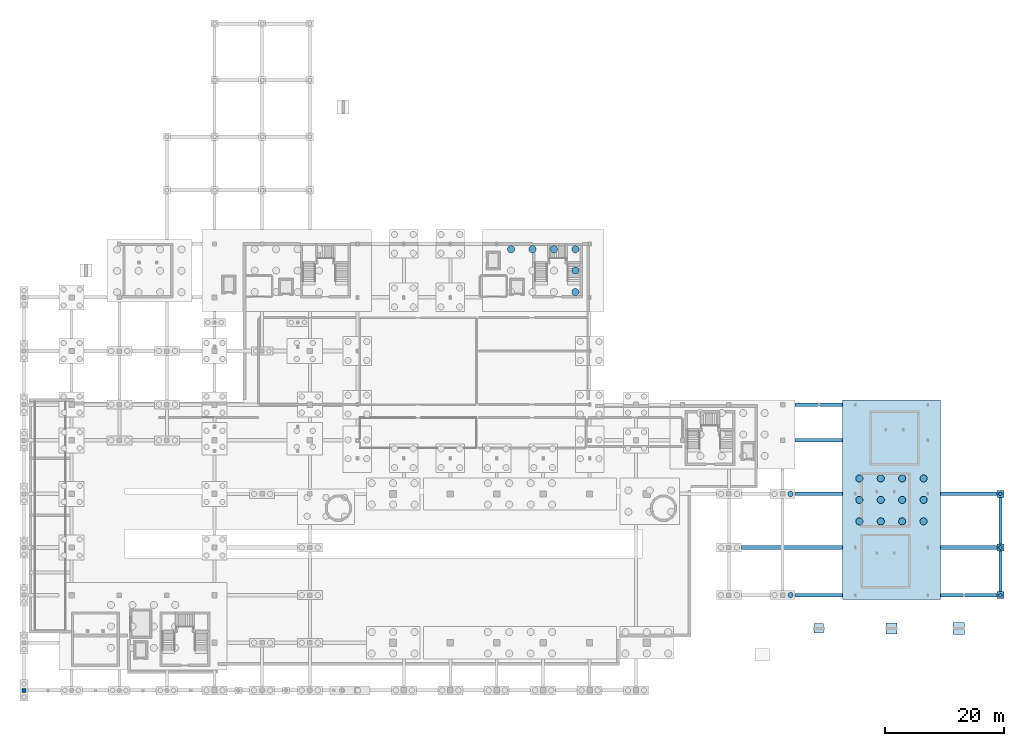
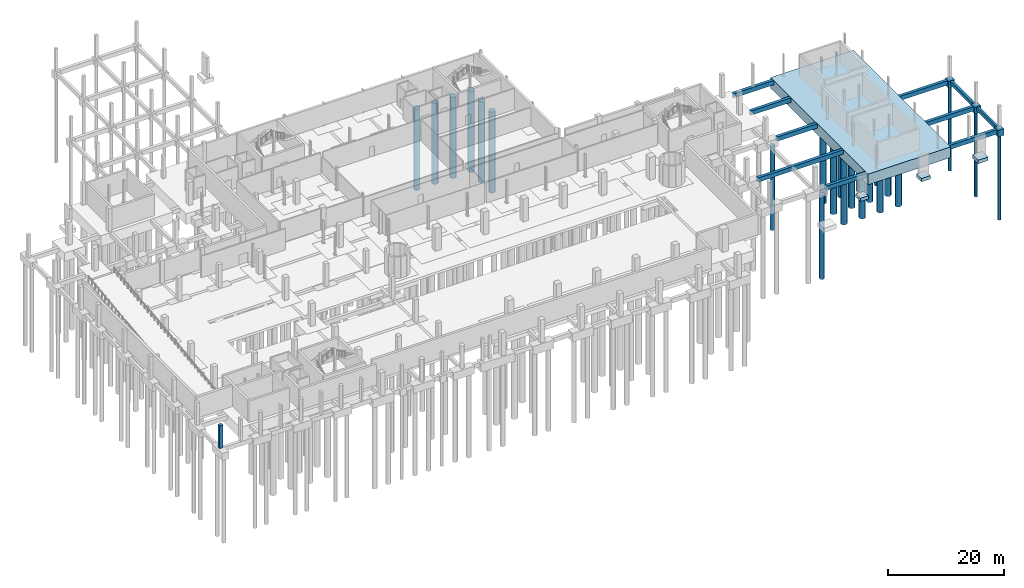
# One storey, part 6 of 32: 23 piles, 17 footings, 1 column.
"""IFC4 building model written with IfcOpenShell, lengths in metres."""

from ifc_helpers import new_model, si_unit, derived_unit, direction, frame, origin, origin_2d, place, context, subcontext, project, spatial, rectangle, circle, extrude, material, material_profile, profile_set, type_object, element, save


model = new_model("IFC4")

# Units and contexts
model_context = context("Model", 3, precision=1e-05, world=origin(), true_north=direction((0.0, 1.0)))
body_context = subcontext(model_context, "Body", "Model", "MODEL_VIEW")
ifc_project = project(units=[si_unit("LENGTHUNIT", "METRE"), si_unit("AREAUNIT", "SQUARE_METRE"), si_unit("VOLUMEUNIT", "CUBIC_METRE"), si_unit("PLANEANGLEUNIT", "RADIAN"), si_unit("MASSUNIT", "GRAM", prefix="KILO"), derived_unit("THERMALTRANSMITTANCEUNIT", [(si_unit("POWERUNIT", "WATT"), 1), (si_unit("LENGTHUNIT", "METRE"), -2), (si_unit("THERMODYNAMICTEMPERATUREUNIT", "KELVIN"), -1)])], contexts=[model_context])

# Site, building, storey
site_placement = place(None, origin())
site = spatial("IfcSite", under=ifc_project, at=site_placement, CompositionType="ELEMENT")
building_placement = place(site_placement, origin())
building = spatial("IfcBuilding", under=site, at=building_placement, Name="Nallur Shell Playhouse", CompositionType="ELEMENT")
storey_placement = place(building_placement, frame((0.0, 0.0, -4.800048828125)))
storey = spatial("IfcBuildingStorey", under=building, at=storey_placement, Name="B1", CompositionType="ELEMENT", Elevation=-4.800048828125)

# Footings
ifc_material = material(Name="Concrete M35", Category="concrete")
footing_type_1 = type_object("IfcFootingType", Name="FT-PAD-01", PredefinedType="PAD_FOOTING", material=ifc_material)
footing_1_placement = place(storey_placement, frame((141.5, 18.39990234375, -0.64990234375), z_axis=(0.0, 0.0, 1.0), x_axis=(1.0, 0.0, 0.0)))
element("IfcFooting", 1, at=footing_1_placement, inside=storey, type_object=footing_type_1, Name="Ramp & forecourt pad footing PF-01", PredefinedType="PAD_FOOTING", context=body_context, shape_type="SweptSolid", body=[
    extrude(rectangle(XDim=1.60009765625, YDim=1.60009765625, at=origin_2d()), origin(), (0.0, 0.0, 1.0), 0.64990234375),
])
footing_type_2 = type_object("IfcFootingType", Name="FT-PAD-02", PredefinedType="PAD_FOOTING", material=ifc_material)
footing_2_placement = place(storey_placement, frame((153.699951171875, 18.39990234375, -0.69970703125), z_axis=(0.0, 0.0, 1.0), x_axis=(1.0, 0.0, 0.0)))
element("IfcFooting", 2, at=footing_2_placement, inside=storey, type_object=footing_type_2, Name="Ramp & forecourt pad footing PF-02", PredefinedType="PAD_FOOTING", context=body_context, shape_type="SweptSolid", body=[
    extrude(rectangle(XDim=1.800048828125, YDim=1.800048828125, at=origin_2d()), origin(), (0.0, 0.0, 1.0), 0.699951171875),
])
footing_type_3 = type_object("IfcFootingType", Name="FT-PAD-03", PredefinedType="PAD_FOOTING", material=ifc_material)
footing_3_placement = place(storey_placement, frame((165.0, 18.39990234375, -0.75), z_axis=(0.0, 0.0, 1.0), x_axis=(1.0, 0.0, 0.0)))
element("IfcFooting", 3, at=footing_3_placement, inside=storey, type_object=footing_type_3, Name="Ramp & forecourt pad footing PF-03", PredefinedType="PAD_FOOTING", context=body_context, shape_type="SweptSolid", body=[
    extrude(rectangle(XDim=2.0, YDim=2.0, at=origin_2d()), origin(), (0.0, 0.0, 1.0), 0.75),
])
footing_type_4 = type_object("IfcFootingType", Name="FT-PC-120x120x135", PredefinedType="PILE_CAP", material=ifc_material)
footing_4_placement = place(storey_placement, frame((172.0, 32.0, -1.35009765625), z_axis=(0.0, 0.0, 1.0), x_axis=(1.0, 0.0, 0.0)))
element("IfcFooting", 4, at=footing_4_placement, inside=storey, type_object=footing_type_4, Name="Pile cap PC-088", PredefinedType="PILE_CAP", context=body_context, shape_type="SweptSolid", body=[
    extrude(rectangle(XDim=1.199951171875, YDim=1.199951171875, at=origin_2d()), origin(), (0.0, 0.0, 1.0), 1.35009765625),
])
footing_type_5 = type_object("IfcFootingType", Name="FT-PC-120x120x140", PredefinedType="PILE_CAP", material=ifc_material)
for number, where, z_axis, x_axis, name in (
    (5, (172.0, 24.0, -1.39990234375), (0.0, 0.0, 1.0), (1.0, 0.0, 0.0), "Pile cap PC-087"),
    (6, (172.0, 41.0, -1.39990234375), (0.0, 0.0, 1.0), (1.0, 0.0, 0.0), "Pile cap PC-089"),
):
    element("IfcFooting", number, at=place(storey_placement, frame(where, z_axis=z_axis, x_axis=x_axis)), inside=storey, type_object=footing_type_5, Name=name, PredefinedType="PILE_CAP", context=body_context, shape_type="SweptSolid", body=[
        extrude(rectangle(XDim=1.199951171875, YDim=1.199951171875, at=origin_2d()), origin(), (0.0, 0.0, 1.0), 1.39990234375),
    ])
footing_type_6 = type_object("IfcFootingType", Name="FT-PC-1640x3350x225", PredefinedType="PILE_CAP", material=ifc_material)
footing_5_placement = place(storey_placement, frame((153.699951171875, 40.0, -2.25), z_axis=(0.0, 0.0, 1.0), x_axis=(1.0, 0.0, 0.0)))
element("IfcFooting", 7, at=footing_5_placement, inside=storey, type_object=footing_type_6, Name="Pile cap PC-086", PredefinedType="PILE_CAP", context=body_context, shape_type="SweptSolid", body=[
    extrude(rectangle(XDim=16.39990234375, YDim=33.5, at=origin_2d()), origin(), (0.0, 0.0, 1.0), 2.25),
])
ifc_material_profile_1 = material_profile(ifc_material, rectangle(XDim=0.5, YDim=0.800048828125, at=origin_2d()), Name="RC 500x800")
ifc_profile_set_1 = profile_set([ifc_material_profile_1], Name="Concrete M35")
footing_type_7 = type_object("IfcFootingType", Name="FT-TB-500x800", PredefinedType="FOOTING_BEAM", material=ifc_profile_set_1)
footing_6_placement = place(storey_placement, frame((172.0, 24.60009765625, -0.39990234375), z_axis=(0.0, 1.0, 0.0), x_axis=(-1.0, 0.0, 0.0)))
element("IfcFooting", 8, at=footing_6_placement, inside=storey, type_object=footing_type_7, Name="Ground tie beam TB-Y-164", PredefinedType="FOOTING_BEAM", context=body_context, shape_type="SweptSolid", body=[
    extrude(rectangle(XDim=0.5, YDim=0.800048828125, at=origin_2d()), origin(), (0.0, 0.0, 1.0), 6.7998046875),
])
footing_7_placement = place(storey_placement, frame((172.0, 32.60009765625, -0.39990234375), z_axis=(0.0, 1.0, 0.0), x_axis=(-1.0, 0.0, 0.0)))
element("IfcFooting", 9, at=footing_7_placement, inside=storey, type_object=footing_type_7, Name="Ground tie beam TB-Y-165", PredefinedType="FOOTING_BEAM", context=body_context, shape_type="SweptSolid", body=[
    extrude(rectangle(XDim=0.5, YDim=0.800048828125, at=origin_2d()), origin(), (0.0, 0.0, 1.0), 7.7998046875),
])
ifc_material_profile_2 = material_profile(ifc_material, rectangle(XDim=0.60009765625, YDim=0.89990234375, at=origin_2d()), Name="RC 600x900")
ifc_profile_set_2 = profile_set([ifc_material_profile_2], Name="Concrete M35")
footing_type_8 = type_object("IfcFootingType", Name="FT-TB-600x900", PredefinedType="FOOTING_BEAM", material=ifc_profile_set_2)
footing_8_placement = place(storey_placement, frame((137.5, 24.0, -0.449951171875), z_axis=(1.0, 0.0, 0.0), x_axis=(0.0, 1.0, 0.0)))
element("IfcFooting", 10, at=footing_8_placement, inside=storey, type_object=footing_type_8, Name="Ground tie beam TB-X-023", PredefinedType="FOOTING_BEAM", context=body_context, shape_type="SweptSolid", body=[
    extrude(rectangle(XDim=0.60009765625, YDim=0.89990234375, at=origin_2d()), origin(), (0.0, 0.0, 1.0), 8.0),
])
footing_9_placement = place(storey_placement, frame((161.89990234375, 24.0, -0.449951171875), z_axis=(1.0, 0.0, 0.0), x_axis=(0.0, 1.0, 0.0)))
element("IfcFooting", 11, at=footing_9_placement, inside=storey, type_object=footing_type_8, Name="Ground tie beam TB-X-024", PredefinedType="FOOTING_BEAM", context=body_context, shape_type="SweptSolid", body=[
    extrude(rectangle(XDim=0.60009765625, YDim=0.89990234375, at=origin_2d()), origin(), (0.0, 0.0, 1.0), 9.5),
])
footing_10_placement = place(storey_placement, frame((128.5, 32.0, -0.449951171875), z_axis=(1.0, 0.0, 0.0), x_axis=(0.0, 1.0, 0.0)))
element("IfcFooting", 12, at=footing_10_placement, inside=storey, type_object=footing_type_8, Name="Ground tie beam TB-X-027", PredefinedType="FOOTING_BEAM", context=body_context, shape_type="SweptSolid", body=[
    extrude(rectangle(XDim=0.60009765625, YDim=0.89990234375, at=origin_2d()), origin(), (0.0, 0.0, 1.0), 17.0),
])
footing_11_placement = place(storey_placement, frame((161.89990234375, 32.0, -0.449951171875), z_axis=(1.0, 0.0, 0.0), x_axis=(0.0, 1.0, 0.0)))
element("IfcFooting", 13, at=footing_11_placement, inside=storey, type_object=footing_type_8, Name="Ground tie beam TB-X-028", PredefinedType="FOOTING_BEAM", context=body_context, shape_type="SweptSolid", body=[
    extrude(rectangle(XDim=0.60009765625, YDim=0.89990234375, at=origin_2d()), origin(), (0.0, 0.0, 1.0), 9.5),
])
footing_12_placement = place(storey_placement, frame((137.5, 41.0, -0.449951171875), z_axis=(1.0, 0.0, 0.0), x_axis=(0.0, 1.0, 0.0)))
element("IfcFooting", 14, at=footing_12_placement, inside=storey, type_object=footing_type_8, Name="Ground tie beam TB-X-035", PredefinedType="FOOTING_BEAM", context=body_context, shape_type="SweptSolid", body=[
    extrude(rectangle(XDim=0.60009765625, YDim=0.89990234375, at=origin_2d()), origin(), (0.0, 0.0, 1.0), 8.0),
])
footing_13_placement = place(storey_placement, frame((161.89990234375, 41.0, -0.449951171875), z_axis=(1.0, 0.0, 0.0), x_axis=(0.0, 1.0, 0.0)))
element("IfcFooting", 15, at=footing_13_placement, inside=storey, type_object=footing_type_8, Name="Ground tie beam TB-X-036", PredefinedType="FOOTING_BEAM", context=body_context, shape_type="SweptSolid", body=[
    extrude(rectangle(XDim=0.60009765625, YDim=0.89990234375, at=origin_2d()), origin(), (0.0, 0.0, 1.0), 9.5),
])
for number, where, z_axis, x_axis, name in (
    (16, (137.5, 50.0, -0.449951171875), (1.0, 0.0, 0.0), (0.0, 1.0, 0.0), "Ground tie beam TB-X-045"),
    (17, (137.5, 56.0, -0.449951171875), (1.0, 0.0, 0.0), (0.0, 1.0, 0.0), "Ground tie beam TB-X-054"),
):
    element("IfcFooting", number, at=place(storey_placement, frame(where, z_axis=z_axis, x_axis=x_axis)), inside=storey, type_object=footing_type_8, Name=name, PredefinedType="FOOTING_BEAM", context=body_context, shape_type="SweptSolid", body=[
        extrude(rectangle(XDim=0.60009765625, YDim=0.89990234375, at=origin_2d()), origin(), (0.0, 0.0, 1.0), 8.0),
    ])

# Piles
ifc_material_profile_3 = material_profile(ifc_material, circle(Radius=0.60009765625, at=origin_2d()), Name="BORED PILE D1200")
ifc_profile_set_3 = profile_set([ifc_material_profile_3], Name="Concrete M35")
pile_type_1 = type_object("IfcPileType", Name="PL-D1200", PredefinedType="BORED", material=ifc_profile_set_3)
for number, where, z_axis, x_axis, name in (
    (18, (89.800048828125, 82.10009765625, -2.14990234375), (0.0, 0.0, -1.0), (1.0, 0.0, 0.0), "Bored pile BP-205"),
    (19, (93.39990234375, 82.10009765625, -2.14990234375), (0.0, 0.0, -1.0), (1.0, 0.0, 0.0), "Bored pile BP-208"),
    (20, (97.0, 82.10009765625, -2.14990234375), (0.0, 0.0, -1.0), (1.0, 0.0, 0.0), "Bored pile BP-211"),
    (21, (100.60009765625, 74.89990234375, -2.14990234375), (0.0, 0.0, -1.0), (1.0, 0.0, 0.0), "Bored pile BP-212"),
    (22, (100.60009765625, 78.5, -2.14990234375), (0.0, 0.0, -1.0), (1.0, 0.0, 0.0), "Bored pile BP-213"),
    (23, (100.60009765625, 82.10009765625, -2.14990234375), (0.0, 0.0, -1.0), (1.0, 0.0, 0.0), "Bored pile BP-214"),
    (24, (148.300048828125, 36.39990234375, -2.14990234375), (0.0, 0.0, -1.0), (1.0, 0.0, 0.0), "Bored pile BP-263"),
    (25, (148.300048828125, 40.0, -2.14990234375), (0.0, 0.0, -1.0), (1.0, 0.0, 0.0), "Bored pile BP-264"),
    (26, (148.300048828125, 43.60009765625, -2.14990234375), (0.0, 0.0, -1.0), (1.0, 0.0, 0.0), "Bored pile BP-265"),
    (27, (151.89990234375, 36.39990234375, -2.14990234375), (0.0, 0.0, -1.0), (1.0, 0.0, 0.0), "Bored pile BP-266"),
    (28, (151.89990234375, 40.0, -2.14990234375), (0.0, 0.0, -1.0), (1.0, 0.0, 0.0), "Bored pile BP-267"),
    (29, (151.89990234375, 43.60009765625, -2.14990234375), (0.0, 0.0, -1.0), (1.0, 0.0, 0.0), "Bored pile BP-268"),
    (30, (155.5, 36.39990234375, -2.14990234375), (0.0, 0.0, -1.0), (1.0, 0.0, 0.0), "Bored pile BP-269"),
    (31, (155.5, 40.0, -2.14990234375), (0.0, 0.0, -1.0), (1.0, 0.0, 0.0), "Bored pile BP-270"),
    (32, (155.5, 43.60009765625, -2.14990234375), (0.0, 0.0, -1.0), (1.0, 0.0, 0.0), "Bored pile BP-271"),
    (33, (159.10009765625, 36.39990234375, -2.14990234375), (0.0, 0.0, -1.0), (1.0, 0.0, 0.0), "Bored pile BP-272"),
    (34, (159.10009765625, 40.0, -2.14990234375), (0.0, 0.0, -1.0), (1.0, 0.0, 0.0), "Bored pile BP-273"),
    (35, (159.10009765625, 43.60009765625, -2.14990234375), (0.0, 0.0, -1.0), (1.0, 0.0, 0.0), "Bored pile BP-274"),
):
    element("IfcPile", number, at=place(storey_placement, frame(where, z_axis=z_axis, x_axis=x_axis)), inside=storey, type_object=pile_type_1, Name=name, PredefinedType="BORED", context=body_context, shape_type="SweptSolid", body=[
        extrude(circle(Radius=0.60009765625, at=origin_2d()), origin(), (0.0, 0.0, 1.0), 17.050048828125),
    ])
ifc_material_profile_4 = material_profile(ifc_material, circle(Radius=0.300048828125, at=origin_2d()), Name="BORED PILE D600")
ifc_profile_set_4 = profile_set([ifc_material_profile_4], Name="Concrete M35")
pile_type_2 = type_object("IfcPileType", Name="PL-D600", PredefinedType="BORED", material=ifc_profile_set_4)
pile_1_placement = place(storey_placement, frame((172.0, 24.0, -1.300048828125), z_axis=(0.0, 0.0, -1.0), x_axis=(1.0, 0.0, 0.0)))
element("IfcPile", 36, at=pile_1_placement, inside=storey, type_object=pile_type_2, Name="Bored pile BP-275", PredefinedType="BORED", context=body_context, shape_type="SweptSolid", body=[
    extrude(circle(Radius=0.300048828125, at=origin_2d()), origin(), (0.0, 0.0, 1.0), 17.89990234375),
])
pile_2_placement = place(storey_placement, frame((172.0, 32.0, -1.25), z_axis=(0.0, 0.0, -1.0), x_axis=(1.0, 0.0, 0.0)))
element("IfcPile", 37, at=pile_2_placement, inside=storey, type_object=pile_type_2, Name="Bored pile BP-276", PredefinedType="BORED", context=body_context, shape_type="SweptSolid", body=[
    extrude(circle(Radius=0.300048828125, at=origin_2d()), origin(), (0.0, 0.0, 1.0), 17.949951171875),
])
pile_3_placement = place(storey_placement, frame((172.0, 41.0, -1.300048828125), z_axis=(0.0, 0.0, -1.0), x_axis=(1.0, 0.0, 0.0)))
element("IfcPile", 38, at=pile_3_placement, inside=storey, type_object=pile_type_2, Name="Bored pile BP-277", PredefinedType="BORED", context=body_context, shape_type="SweptSolid", body=[
    extrude(circle(Radius=0.300048828125, at=origin_2d()), origin(), (0.0, 0.0, 1.0), 17.89990234375),
])
ifc_material_profile_5 = material_profile(ifc_material, circle(Radius=0.449951171875, at=origin_2d()), Name="BORED PILE D900")
ifc_profile_set_5 = profile_set([ifc_material_profile_5], Name="Concrete M35")
pile_type_3 = type_object("IfcPileType", Name="PL-D900", PredefinedType="BORED", material=ifc_profile_set_5)
pile_4_placement = place(storey_placement, frame((136.75, 24.0, -1.5), z_axis=(0.0, 0.0, -1.0), x_axis=(1.0, 0.0, 0.0)))
element("IfcPile", 39, at=pile_4_placement, inside=storey, type_object=pile_type_3, Name="Bored pile BP-260", PredefinedType="BORED", context=body_context, shape_type="SweptSolid", body=[
    extrude(circle(Radius=0.449951171875, at=origin_2d()), origin(), (0.0, 0.0, 1.0), 17.699951171875),
])
pile_5_placement = place(storey_placement, frame((136.75, 41.0, -1.550048828125), z_axis=(0.0, 0.0, -1.0), x_axis=(1.0, 0.0, 0.0)))
element("IfcPile", 40, at=pile_5_placement, inside=storey, type_object=pile_type_3, Name="Bored pile BP-262", PredefinedType="BORED", context=body_context, shape_type="SweptSolid", body=[
    extrude(circle(Radius=0.449951171875, at=origin_2d()), origin(), (0.0, 0.0, 1.0), 17.64990234375),
])

# Column
ifc_material_profile_6 = material_profile(ifc_material, rectangle(XDim=0.64990234375, YDim=0.64990234375, at=origin_2d()), Name="RC 650x650")
ifc_profile_set_6 = profile_set([ifc_material_profile_6], Name="Concrete M35")
column_type = type_object("IfcColumnType", Name="CL-RC-650", PredefinedType="COLUMN", material=ifc_profile_set_6)
column_placement = place(storey_placement, frame((8.0, 8.0, 0.0), z_axis=(0.0, 0.0, 1.0), x_axis=(1.0, 0.0, 0.0)))
element("IfcColumn", 41, at=column_placement, inside=storey, type_object=column_type, Name="Column 1-A (B1)", PredefinedType="COLUMN", context=body_context, shape_type="SweptSolid", body=[
    extrude(rectangle(XDim=0.64990234375, YDim=0.64990234375, at=origin_2d()), origin(), (0.0, 0.0, 1.0), 4.800048828125),
])

save(model, "model.ifc")
